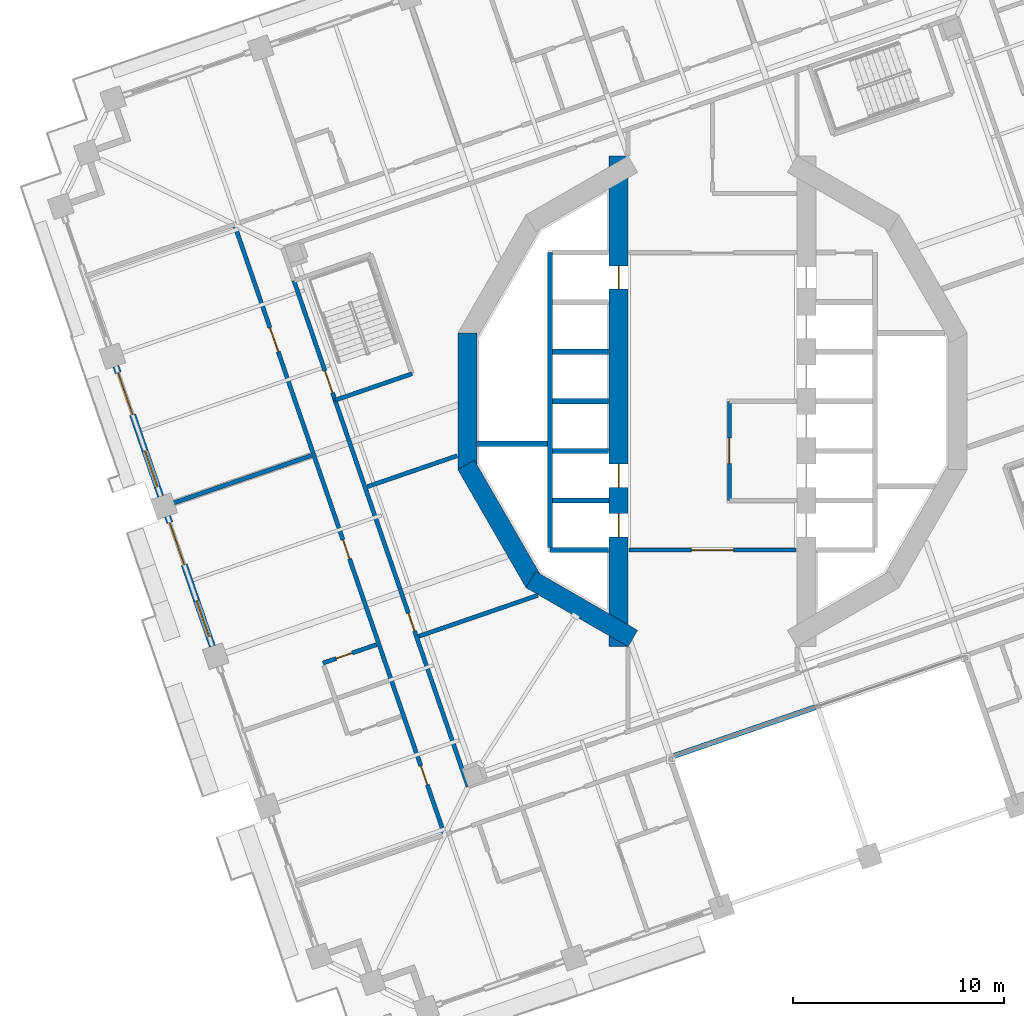
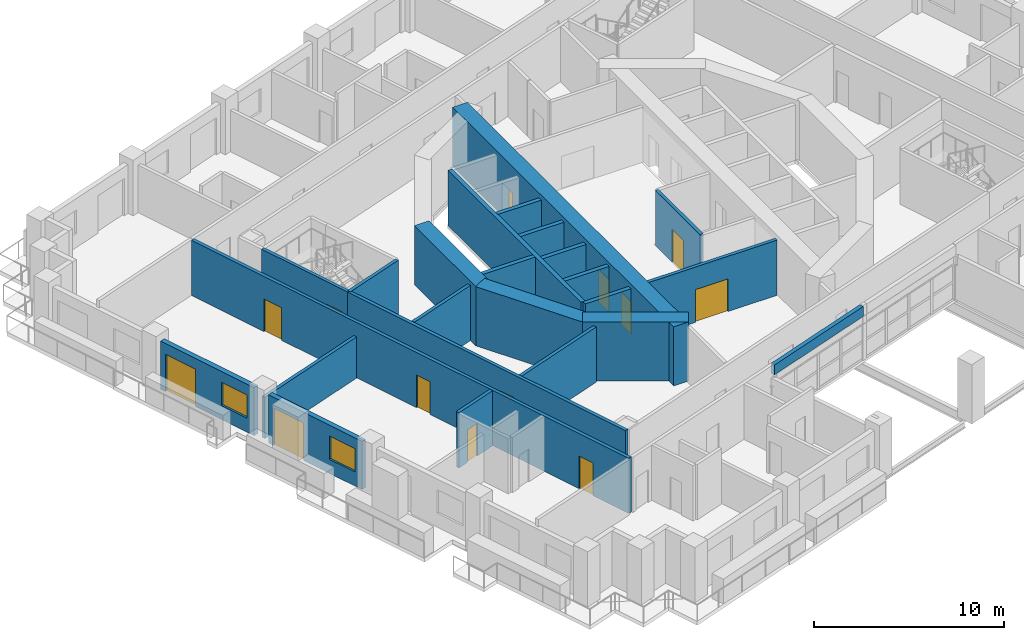
# One storey, part 9 of 22: 24 walls, 13 doors, 2 windows, 15 openings.
"""IFC4 building model written with IfcOpenShell, lengths in metres."""

from ifc_helpers import new_model, si_unit, direction, frame, frame_2d, origin, place, context, subcontext, project, spatial, rectangle, extrude, material, layer, layer_set, type_object, element, fill, save


model = new_model("IFC4")

# Units and contexts
model_context = context("Model", 3, precision=1e-05, world=origin(), true_north=direction((0.0, 1.0)))
body_context = subcontext(model_context, "Body", "Model", "MODEL_VIEW")
ifc_project = project(units=[si_unit("LENGTHUNIT", "METRE"), si_unit("AREAUNIT", "SQUARE_METRE"), si_unit("VOLUMEUNIT", "CUBIC_METRE"), si_unit("PLANEANGLEUNIT", "RADIAN"), si_unit("MASSUNIT", "GRAM", prefix="KILO")], contexts=[model_context])

# Site, building, storey
site_placement = place(None, origin())
site = spatial("IfcSite", under=ifc_project, at=site_placement, CompositionType="ELEMENT")
building_placement = place(site_placement, origin())
building = spatial("IfcBuilding", under=site, at=building_placement, Name="Cantera Rosa Tower", CompositionType="ELEMENT")
storey_placement = place(building_placement, frame((0.0, 0.0, 104.10009765625)))
storey = spatial("IfcBuildingStorey", under=building, at=storey_placement, Name="L20", CompositionType="ELEMENT", Elevation=104.10009765625)

# Wall, openings, doors
ifc_material_1 = material(Name="Gypsum board partition")
ifc_layer_1 = layer(ifc_material_1, 0.199951171875)
ifc_layer_set_1 = layer_set([ifc_layer_1], Name="CORRIDOR WALL 200 H3550")
wall_type_1 = type_object("IfcWallType", Name="CORRIDOR WALL 200 H3550", PredefinedType="PARTITIONING", material=ifc_layer_set_1)
wall_1_placement = place(storey_placement, frame((-22.6298828125, 8.28369140625, 0.0), z_axis=(0.0, 0.0, 1.0), x_axis=(0.325570542196, -0.945517753431, 0.0)))
wall_1 = element("IfcWall", 1, at=wall_1_placement, inside=storey, type_object=wall_type_1, Name="CORRIDOR WALL L20-002", PredefinedType="PARTITIONING", context=body_context, shape_type="SweptSolid", body=[
    extrude(rectangle(XDim=30.5, YDim=0.199951171875, at=frame_2d((15.25, 0.0))), origin(), (0.0, 0.0, 1.0), 3.5498046875),
])
opening_1_placement = place(wall_1_placement, frame((5.070068359375, 0.0, 0.0)))
opening_1 = element("IfcOpeningElement", 2, at=opening_1_placement, cuts=wall_1, Name="Opening L20-036", PredefinedType="OPENING", context=body_context, shape_type="SweptSolid", body=[
    extrude(rectangle(XDim=1.199951171875, YDim=2.10009765625, at=frame_2d((0.60009765625, 1.050048828125))), frame((0.0, 0.10986328125, 0.0), z_axis=(0.0, -1.0, 0.0), x_axis=(1.0, 0.0, 0.0)), (0.0, 0.0, 1.0), 0.219970703125),
])
opening_2_placement = place(wall_1_placement, frame((15.705078125, 0.0, 0.0)))
opening_2 = element("IfcOpeningElement", 3, at=opening_2_placement, cuts=wall_1, Name="Opening L20-037", PredefinedType="OPENING", context=body_context, shape_type="SweptSolid", body=[
    extrude(rectangle(XDim=0.949951171875, YDim=2.10009765625, at=frame_2d((0.47509765625, 1.050048828125))), frame((0.0, 0.10986328125, 0.0), z_axis=(0.0, -1.0, 0.0), x_axis=(1.0, 0.0, 0.0)), (0.0, 0.0, 1.0), 0.219970703125),
])
opening_3_placement = place(wall_1_placement, frame((27.034912109375, 0.0, 0.0)))
opening_3 = element("IfcOpeningElement", 4, at=opening_3_placement, cuts=wall_1, Name="Opening L20-039", PredefinedType="OPENING", context=body_context, shape_type="SweptSolid", body=[
    extrude(rectangle(XDim=0.949951171875, YDim=2.10009765625, at=frame_2d((0.47509765625, 1.050048828125))), frame((0.0, 0.10986328125, 0.0), z_axis=(0.0, -1.0, 0.0), x_axis=(1.0, 0.0, 0.0)), (0.0, 0.0, 1.0), 0.219970703125),
])
ifc_material_2 = material(Name="Timber door leaf", Category="wood")
door_type_1 = type_object("IfcDoorType", Name="ROOM DOOR 1200x2100", OperationType="NOTDEFINED", PredefinedType="DOOR", material=ifc_material_2)
door_1_placement = place(opening_1_placement, origin())
door_1 = element("IfcDoor", 5, at=door_1_placement, inside=storey, type_object=door_type_1, Name="DOOR L20-036", OperationType="NOTDEFINED", OverallHeight=2.10009765625, OverallWidth=1.199951171875, PredefinedType="DOOR", context=body_context, shape_type="SweptSolid", body=[
    extrude(rectangle(XDim=1.199951171875, YDim=2.10009765625, at=frame_2d((0.60009765625, 1.050048828125))), frame((0.0, 0.02490234375, 0.0), z_axis=(0.0, -1.0, 0.0), x_axis=(1.0, 0.0, 0.0)), (0.0, 0.0, 1.0), 0.050048828125),
])
fill(opening_1, door_1)
ifc_material_3 = material(Name="Timber door leaf", Category="wood")
door_type_2 = type_object("IfcDoorType", Name="ROOM DOOR 950x2100", OperationType="NOTDEFINED", PredefinedType="DOOR", material=ifc_material_3)
door_2_placement = place(opening_2_placement, origin())
door_2 = element("IfcDoor", 6, at=door_2_placement, inside=storey, type_object=door_type_2, Name="DOOR L20-037", OperationType="NOTDEFINED", OverallHeight=2.10009765625, OverallWidth=0.949951171875, PredefinedType="DOOR", context=body_context, shape_type="SweptSolid", body=[
    extrude(rectangle(XDim=0.949951171875, YDim=2.10009765625, at=frame_2d((0.47509765625, 1.050048828125))), frame((0.0, 0.02490234375, 0.0), z_axis=(0.0, -1.0, 0.0), x_axis=(1.0, 0.0, 0.0)), (0.0, 0.0, 1.0), 0.050048828125),
])
fill(opening_2, door_2)
door_3_placement = place(opening_3_placement, origin())
door_3 = element("IfcDoor", 7, at=door_3_placement, inside=storey, type_object=door_type_2, Name="DOOR L20-039", OperationType="NOTDEFINED", OverallHeight=2.10009765625, OverallWidth=0.949951171875, PredefinedType="DOOR", context=body_context, shape_type="SweptSolid", body=[
    extrude(rectangle(XDim=0.949951171875, YDim=2.10009765625, at=frame_2d((0.47509765625, 1.050048828125))), frame((0.0, 0.02490234375, 0.0), z_axis=(0.0, -1.0, 0.0), x_axis=(1.0, 0.0, 0.0)), (0.0, 0.0, 1.0), 0.050048828125),
])
fill(opening_3, door_3)

# Wall, opening, door
wall_2_placement = place(storey_placement, frame((-17.8916015625, 0.05126953125, 0.0), z_axis=(0.0, 0.0, 1.0), x_axis=(0.325580537834, -0.94551431157, 0.0)))
wall_2 = element("IfcWall", 8, at=wall_2_placement, inside=storey, type_object=wall_type_1, Name="CORRIDOR WALL L20-014", PredefinedType="PARTITIONING", context=body_context, shape_type="SweptSolid", body=[
    extrude(rectangle(XDim=19.37353515625, YDim=0.199951171875, at=frame_2d((9.686767578125, 0.0))), origin(), (0.0, 0.0, 1.0), 3.5498046875),
])
opening_4_placement = place(wall_2_placement, frame((10.67333984375, 0.0, 0.0)))
opening_4 = element("IfcOpeningElement", 9, at=opening_4_placement, cuts=wall_2, Name="Opening L20-006", PredefinedType="OPENING", context=body_context, shape_type="SweptSolid", body=[
    extrude(rectangle(XDim=0.89990234375, YDim=2.10009765625, at=frame_2d((0.449951171875, 1.050048828125))), frame((0.0, 0.10986328125, 0.0), z_axis=(0.0, -1.0, 0.0), x_axis=(1.0, 0.0, 0.0)), (0.0, 0.0, 1.0), 0.219970703125),
])
ifc_material_4 = material(Name="Timber door leaf", Category="wood")
door_type_3 = type_object("IfcDoorType", Name="SERVICE DOOR 900x2100", OperationType="NOTDEFINED", PredefinedType="DOOR", material=ifc_material_4)
door_4_placement = place(opening_4_placement, origin())
door_4 = element("IfcDoor", 10, at=door_4_placement, inside=storey, type_object=door_type_3, Name="DOOR L20-006", OperationType="NOTDEFINED", OverallHeight=2.10009765625, OverallWidth=0.89990234375, PredefinedType="DOOR", context=body_context, shape_type="SweptSolid", body=[
    extrude(rectangle(XDim=0.89990234375, YDim=2.10009765625, at=frame_2d((0.449951171875, 1.050048828125))), frame((0.0, 0.02490234375, 0.0), z_axis=(0.0, -1.0, 0.0), x_axis=(1.0, 0.0, 0.0)), (0.0, 0.0, 1.0), 0.050048828125),
])
fill(opening_4, door_4)

wall_3_placement = place(storey_placement, frame((3.969970703125, -7.050048828125, 0.0), z_axis=(0.0, 0.0, 1.0), x_axis=(-1.0, 0.0, 0.0)))
wall_3 = element("IfcWall", 11, at=wall_3_placement, inside=storey, type_object=wall_type_1, Name="CORRIDOR WALL L20-060", PredefinedType="PARTITIONING", context=body_context, shape_type="SweptSolid", body=[
    extrude(rectangle(XDim=7.93994140625, YDim=0.199951171875, at=frame_2d((3.969970703125, 0.0))), origin(), (0.0, 0.0, 1.0), 3.5498046875),
])
opening_5_placement = place(wall_3_placement, frame((2.969970703125, 0.0, 0.0)))
opening_5 = element("IfcOpeningElement", 12, at=opening_5_placement, cuts=wall_3, Name="Opening L20-013", PredefinedType="OPENING", context=body_context, shape_type="SweptSolid", body=[
    extrude(rectangle(XDim=2.0, YDim=2.10009765625, at=frame_2d((1.0, 1.050048828125))), frame((0.0, 0.10986328125, 0.0), z_axis=(0.0, -1.0, 0.0), x_axis=(1.0, 0.0, 0.0)), (0.0, 0.0, 1.0), 0.219970703125),
])
ifc_material_5 = material(Name="Steel S355J2 (EN 10025-2)", Category="steel")
door_type_4 = type_object("IfcDoorType", Name="LOBBY SCREEN DOOR 2000x2100", OperationType="NOTDEFINED", PredefinedType="DOOR", material=ifc_material_5)
door_5_placement = place(opening_5_placement, origin())
door_5 = element("IfcDoor", 13, at=door_5_placement, inside=storey, type_object=door_type_4, Name="DOOR L20-013", OperationType="NOTDEFINED", OverallHeight=2.10009765625, OverallWidth=2.0, PredefinedType="DOOR", context=body_context, shape_type="SweptSolid", body=[
    extrude(rectangle(XDim=2.0, YDim=2.10009765625, at=frame_2d((1.0, 1.050048828125))), frame((0.0, 0.02490234375, 0.0), z_axis=(0.0, -1.0, 0.0), x_axis=(1.0, 0.0, 0.0)), (0.0, 0.0, 1.0), 0.050048828125),
])
fill(opening_5, door_5)

# Wall, openings, window, door
ifc_material_6 = material(Name="Hollow clay masonry with cantera stone cladding", Category="masonry")
ifc_layer_2 = layer(ifc_material_6, 0.300048828125)
ifc_layer_set_2 = layer_set([ifc_layer_2], Name="EW-LOGGIA 300 H3090")
wall_type_2 = type_object("IfcWallType", Name="EW-LOGGIA 300 H3090", PredefinedType="SOLIDWALL", material=ifc_layer_set_2)
wall_4_placement = place(storey_placement, frame((-28.2822265625, 1.662841796875, 0.0), z_axis=(0.0, 0.0, 1.0), x_axis=(0.325580990241, -0.945514155787, 0.0)))
wall_4 = element("IfcWall", 14, at=wall_4_placement, inside=storey, type_object=wall_type_2, Name="EN-L20-W17", PredefinedType="SOLIDWALL", context=body_context, shape_type="SweptSolid", body=[
    extrude(rectangle(XDim=6.52001953125, YDim=0.300048828125, at=frame_2d((3.260009765625, 0.0))), origin(), (0.0, 0.0, 1.0), 3.08984375),
])
opening_6_placement = place(wall_4_placement, frame((0.330078125, 0.0, 0.0)))
opening_6 = element("IfcOpeningElement", 15, at=opening_6_placement, cuts=wall_4, Name="Opening L20-TD25", PredefinedType="OPENING", context=body_context, shape_type="SweptSolid", body=[
    extrude(rectangle(XDim=2.10009765625, YDim=2.39990234375, at=frame_2d((1.050048828125, 1.199951171875))), frame((0.0, 0.159912109375, 0.0), z_axis=(0.0, -1.0, 0.0), x_axis=(1.0, 0.0, 0.0)), (0.0, 0.0, 1.0), 0.320068359375),
])
opening_7_placement = place(wall_4_placement, frame((4.239990234375, 0.0, 0.89990234375)))
opening_7 = element("IfcOpeningElement", 16, at=opening_7_placement, cuts=wall_4, Name="Opening L20-W26", PredefinedType="OPENING", context=body_context, shape_type="SweptSolid", body=[
    extrude(rectangle(XDim=1.800048828125, YDim=1.5, at=frame_2d((0.89990234375, 0.75))), frame((0.0, 0.159912109375, 0.0), z_axis=(0.0, -1.0, 0.0), x_axis=(1.0, 0.0, 0.0)), (0.0, 0.0, 1.0), 0.320068359375),
])
ifc_material_7 = material(Name="Aluminium frame with clear glass", Category="aluminium")
window_type = type_object("IfcWindowType", Name="Hotel room window 1800x1500", PartitioningType="DOUBLE_PANEL_VERTICAL", PredefinedType="WINDOW", material=ifc_material_7)
window_1_placement = place(opening_7_placement, origin())
window_1 = element("IfcWindow", 17, at=window_1_placement, inside=storey, type_object=window_type, Name="WINDOW L20-W26", OverallHeight=1.5, OverallWidth=1.800048828125, PartitioningType="SINGLE_PANEL", PredefinedType="WINDOW", context=body_context, shape_type="SweptSolid", body=[
    extrude(rectangle(XDim=1.800048828125, YDim=1.5, at=frame_2d((0.89990234375, 0.75))), frame((0.0, 0.030029296875, 0.0), z_axis=(0.0, -1.0, 0.0), x_axis=(1.0, 0.0, 0.0)), (0.0, 0.0, 1.0), 0.06005859375),
])
fill(opening_7, window_1)
ifc_material_8 = material(Name="Aluminium frame with clear glass", Category="aluminium")
door_type_5 = type_object("IfcDoorType", Name="TD-H 2100x2400", OperationType="NOTDEFINED", PredefinedType="DOOR", material=ifc_material_8)
door_6_placement = place(opening_6_placement, origin())
door_6 = element("IfcDoor", 18, at=door_6_placement, inside=storey, type_object=door_type_5, Name="LOGGIA DOOR L20-TD25", OperationType="SLIDING_TO_LEFT", OverallHeight=2.39990234375, OverallWidth=2.10009765625, PredefinedType="DOOR", context=body_context, shape_type="SweptSolid", body=[
    extrude(rectangle(XDim=2.10009765625, YDim=2.39990234375, at=frame_2d((1.050048828125, 1.199951171875))), frame((0.0, 0.02490234375, 0.0), z_axis=(0.0, -1.0, 0.0), x_axis=(1.0, 0.0, 0.0)), (0.0, 0.0, 1.0), 0.050048828125),
])
fill(opening_6, door_6)

wall_5_placement = place(storey_placement, frame((-25.833984375, -5.447509765625, 0.0), z_axis=(0.0, 0.0, 1.0), x_axis=(0.325580990241, -0.945514155787, 0.0)))
wall_5 = element("IfcWall", 19, at=wall_5_placement, inside=storey, type_object=wall_type_2, Name="EN-L20-W18", PredefinedType="SOLIDWALL", context=body_context, shape_type="SweptSolid", body=[
    extrude(rectangle(XDim=6.52001953125, YDim=0.300048828125, at=frame_2d((3.260009765625, 0.0))), origin(), (0.0, 0.0, 1.0), 3.08984375),
])
opening_8_placement = place(wall_5_placement, frame((0.330078125, 0.0, 0.0)))
opening_8 = element("IfcOpeningElement", 20, at=opening_8_placement, cuts=wall_5, Name="Opening L20-TD27", PredefinedType="OPENING", context=body_context, shape_type="SweptSolid", body=[
    extrude(rectangle(XDim=2.10009765625, YDim=2.39990234375, at=frame_2d((1.050048828125, 1.199951171875))), frame((0.0, 0.159912109375, 0.0), z_axis=(0.0, -1.0, 0.0), x_axis=(1.0, 0.0, 0.0)), (0.0, 0.0, 1.0), 0.320068359375),
])
opening_9_placement = place(wall_5_placement, frame((4.239990234375, 0.0, 0.89990234375)))
opening_9 = element("IfcOpeningElement", 21, at=opening_9_placement, cuts=wall_5, Name="Opening L20-W28", PredefinedType="OPENING", context=body_context, shape_type="SweptSolid", body=[
    extrude(rectangle(XDim=1.800048828125, YDim=1.5, at=frame_2d((0.89990234375, 0.75))), frame((0.0, 0.159912109375, 0.0), z_axis=(0.0, -1.0, 0.0), x_axis=(1.0, 0.0, 0.0)), (0.0, 0.0, 1.0), 0.320068359375),
])
window_2_placement = place(opening_9_placement, origin())
window_2 = element("IfcWindow", 22, at=window_2_placement, inside=storey, type_object=window_type, Name="WINDOW L20-W28", OverallHeight=1.5, OverallWidth=1.800048828125, PartitioningType="SINGLE_PANEL", PredefinedType="WINDOW", context=body_context, shape_type="SweptSolid", body=[
    extrude(rectangle(XDim=1.800048828125, YDim=1.5, at=frame_2d((0.89990234375, 0.75))), frame((0.0, 0.030029296875, 0.0), z_axis=(0.0, -1.0, 0.0), x_axis=(1.0, 0.0, 0.0)), (0.0, 0.0, 1.0), 0.06005859375),
])
fill(opening_9, window_2)
door_7_placement = place(opening_8_placement, origin())
door_7 = element("IfcDoor", 23, at=door_7_placement, inside=storey, type_object=door_type_5, Name="LOGGIA DOOR L20-TD27", OperationType="SLIDING_TO_LEFT", OverallHeight=2.39990234375, OverallWidth=2.10009765625, PredefinedType="DOOR", context=body_context, shape_type="SweptSolid", body=[
    extrude(rectangle(XDim=2.10009765625, YDim=2.39990234375, at=frame_2d((1.050048828125, 1.199951171875))), frame((0.0, 0.02490234375, 0.0), z_axis=(0.0, -1.0, 0.0), x_axis=(1.0, 0.0, 0.0)), (0.0, 0.0, 1.0), 0.050048828125),
])
fill(opening_8, door_7)

# Wall
ifc_material_9 = material(Name="Hollow clay masonry with cantera stone cladding", Category="masonry")
ifc_layer_3 = layer(ifc_material_9, 0.25)
ifc_layer_set_3 = layer_set([ifc_layer_3], Name="EW-POCKET REAR 250")
wall_type_3 = type_object("IfcWallType", Name="EW-POCKET REAR 250", PredefinedType="SOLIDWALL", material=ifc_layer_set_3)
wall_6_placement = place(storey_placement, frame((-1.8974609375, -16.8349609375, 2.867919921875), z_axis=(0.0, 0.0, 1.0), x_axis=(0.945515675847, 0.325576575828, 0.0)))
element("IfcWall", 24, at=wall_6_placement, inside=storey, type_object=wall_type_3, Name="POCKET SPANDREL L20-1", PredefinedType="SOLIDWALL", context=body_context, shape_type="SweptSolid", body=[
    extrude(rectangle(XDim=7.14111328125, YDim=0.25, at=frame_2d((3.570556640625, 0.0))), origin(), (0.0, 0.0, 1.0), 0.632080078125),
])

# Wall, opening, door
ifc_material_10 = material(Name="Gypsum board partition")
ifc_layer_4 = layer(ifc_material_10, 0.199951171875)
ifc_layer_set_4 = layer_set([ifc_layer_4], Name="PARTITION 200 H3550")
wall_type_4 = type_object("IfcWallType", Name="PARTITION 200 H3550", PredefinedType="PARTITIONING", material=ifc_layer_set_4)
wall_7_placement = place(storey_placement, frame((-18.46630859375, -12.408203125, 0.0), z_axis=(0.0, 0.0, 1.0), x_axis=(0.94551230217, 0.325586373249, 0.0)))
wall_7 = element("IfcWall", 25, at=wall_7_placement, inside=storey, type_object=wall_type_4, Name="PARTITION L20-011", PredefinedType="PARTITIONING", context=body_context, shape_type="SweptSolid", body=[
    extrude(rectangle(XDim=2.679931640625, YDim=0.199951171875, at=frame_2d((1.33984375, 0.0))), origin(), (0.0, 0.0, 1.0), 3.5498046875),
])
opening_10_placement = place(wall_7_placement, frame((0.6640625, 0.0, 0.0)))
opening_10 = element("IfcOpeningElement", 26, at=opening_10_placement, cuts=wall_7, Name="Opening L20-038", PredefinedType="OPENING", context=body_context, shape_type="SweptSolid", body=[
    extrude(rectangle(XDim=0.800048828125, YDim=2.10009765625, at=frame_2d((0.39990234375, 1.050048828125))), frame((0.0, 0.10986328125, 0.0), z_axis=(0.0, -1.0, 0.0), x_axis=(1.0, 0.0, 0.0)), (0.0, 0.0, 1.0), 0.219970703125),
])
ifc_material_11 = material(Name="Timber door leaf", Category="wood")
door_type_6 = type_object("IfcDoorType", Name="BATHROOM DOOR 800x2100", OperationType="NOTDEFINED", PredefinedType="DOOR", material=ifc_material_11)
door_8_placement = place(opening_10_placement, origin())
door_8 = element("IfcDoor", 27, at=door_8_placement, inside=storey, type_object=door_type_6, Name="DOOR L20-038", OperationType="NOTDEFINED", OverallHeight=2.10009765625, OverallWidth=0.800048828125, PredefinedType="DOOR", context=body_context, shape_type="SweptSolid", body=[
    extrude(rectangle(XDim=0.800048828125, YDim=2.10009765625, at=frame_2d((0.39990234375, 1.050048828125))), frame((0.0, 0.02490234375, 0.0), z_axis=(0.0, -1.0, 0.0), x_axis=(1.0, 0.0, 0.0)), (0.0, 0.0, 1.0), 0.050048828125),
])
fill(opening_10, door_8)

# Walls
wall_8_placement = place(storey_placement, frame((-12.10400390625, -2.581298828125, 0.0), z_axis=(0.0, 0.0, 1.0), x_axis=(-0.945508534203, -0.325597315328, 0.0)))
element("IfcWall", 28, at=wall_8_placement, inside=storey, type_object=wall_type_4, Name="PARTITION L20-023", PredefinedType="PARTITIONING", context=body_context, shape_type="SweptSolid", body=[
    extrude(rectangle(XDim=4.4951171875, YDim=0.199951171875, at=frame_2d((2.24755859375, 0.0))), origin(), (0.0, 0.0, 1.0), 3.5498046875),
])
wall_9_placement = place(storey_placement, frame((-8.279296875, -9.196533203125, 0.0), z_axis=(0.0, 0.0, 1.0), x_axis=(-0.945525220819, -0.325548854699, 0.0)))
element("IfcWall", 29, at=wall_9_placement, inside=storey, type_object=wall_type_4, Name="PARTITION L20-031", PredefinedType="PARTITIONING", context=body_context, shape_type="SweptSolid", body=[
    extrude(rectangle(XDim=5.977783203125, YDim=0.199951171875, at=frame_2d((2.98876953125, 0.0))), origin(), (0.0, 0.0, 1.0), 3.5498046875),
])
ifc_material_12 = material(Name="Gypsum board partition")
ifc_layer_5 = layer(ifc_material_12, 0.199951171875)
ifc_layer_set_5 = layer_set([ifc_layer_5], Name="PARTY WALL 200 H2650")
wall_type_5 = type_object("IfcWallType", Name="PARTY WALL 200 H2650", PredefinedType="PARTITIONING", material=ifc_layer_set_5)
wall_10_placement = place(storey_placement, frame((-19.018798828125, -2.572021484375, 0.0), z_axis=(0.0, 0.0, 1.0), x_axis=(-0.945514790731, -0.325579146306, 0.0)))
element("IfcWall", 30, at=wall_10_placement, inside=storey, type_object=wall_type_5, Name="PARTY WALL L20-010", PredefinedType="PARTITIONING", context=body_context, shape_type="SweptSolid", body=[
    extrude(rectangle(XDim=7.35009765625, YDim=0.199951171875, at=frame_2d((3.675048828125, 0.0))), origin(), (0.0, 0.0, 1.0), 2.64990234375),
])
ifc_material_13 = material(Name="Concrete C70/85", Category="concrete")
ifc_layer_6 = layer(ifc_material_13, 0.89990234375)
ifc_layer_set_6 = layer_set([ifc_layer_6], Name="RC CORE WALL 900 C70/85")
wall_type_6 = type_object("IfcWallType", Name="RC CORE WALL 900 C70/85", PredefinedType="SHEAR", material=ifc_layer_set_6)
wall_11_placement = place(storey_placement, frame((-3.77490234375, -11.242919921875, 0.0), z_axis=(0.0, 0.0, 1.0), x_axis=(-0.866026961591, 0.49999730179, 0.0)))
element("IfcWall", 31, at=wall_11_placement, inside=storey, type_object=wall_type_6, Name="CW-W1 L20", PredefinedType="SHEAR", context=body_context, shape_type="SweptSolid", body=[
    extrude(rectangle(XDim=5.58740234375, YDim=0.89990234375, at=frame_2d((2.793701171875, 0.0))), origin(), (0.0, 0.0, 1.0), 3.7998046875),
])
wall_12_placement = place(storey_placement, frame((-8.44921875, -8.61376953125, 0.0), z_axis=(0.0, 0.0, 1.0), x_axis=(-0.499990282633, 0.866031014036, 0.0)))
element("IfcWall", 32, at=wall_12_placement, inside=storey, type_object=wall_type_6, Name="CW-W2 L20", PredefinedType="SHEAR", context=body_context, shape_type="SweptSolid", body=[
    extrude(rectangle(XDim=6.470458984375, YDim=0.89990234375, at=frame_2d((3.2353515625, 0.0))), origin(), (0.0, 0.0, 1.0), 3.7998046875),
])
wall_13_placement = place(storey_placement, frame((-11.6240234375, -3.2353515625, 0.0), z_axis=(0.0, 0.0, 1.0), x_axis=(0.0, 1.0, 0.0)))
element("IfcWall", 33, at=wall_13_placement, inside=storey, type_object=wall_type_6, Name="CW-W3 L20", PredefinedType="SHEAR", context=body_context, shape_type="SweptSolid", body=[
    extrude(rectangle(XDim=6.470703125, YDim=0.89990234375, at=frame_2d((3.2353515625, 0.0))), origin(), (0.0, 0.0, 1.0), 3.7998046875),
])

# Wall, openings, doors
wall_14_placement = place(storey_placement, frame((-4.449951171875, 11.632568359375, 0.0), z_axis=(0.0, 0.0, 1.0), x_axis=(0.0, -1.0, 0.0)))
wall_14 = element("IfcWall", 34, at=wall_14_placement, inside=storey, type_object=wall_type_6, Name="CW-W6 L20", PredefinedType="SHEAR", context=body_context, shape_type="SweptSolid", body=[
    extrude(rectangle(XDim=23.26513671875, YDim=0.89990234375, at=frame_2d((11.632568359375, 0.0))), origin(), (0.0, 0.0, 1.0), 3.7998046875),
])
opening_11_placement = place(wall_14_placement, frame((14.607421875, 0.0, 0.0)))
opening_11 = element("IfcOpeningElement", 35, at=opening_11_placement, cuts=wall_14, Name="Opening LD-P3-L20", PredefinedType="OPENING", context=body_context, shape_type="SweptSolid", body=[
    extrude(rectangle(XDim=1.10009765625, YDim=2.10009765625, at=frame_2d((0.550048828125, 1.050048828125))), frame((0.0, 0.4599609375, 0.0), z_axis=(0.0, -1.0, 0.0), x_axis=(1.0, 0.0, 0.0)), (0.0, 0.0, 1.0), 0.919921875),
])
opening_12_placement = place(wall_14_placement, frame((16.95751953125, 0.0, 0.0)))
opening_12 = element("IfcOpeningElement", 36, at=opening_12_placement, cuts=wall_14, Name="Opening LD-P4-L20", PredefinedType="OPENING", context=body_context, shape_type="SweptSolid", body=[
    extrude(rectangle(XDim=1.10009765625, YDim=2.10009765625, at=frame_2d((0.550048828125, 1.050048828125))), frame((0.0, 0.4599609375, 0.0), z_axis=(0.0, -1.0, 0.0), x_axis=(1.0, 0.0, 0.0)), (0.0, 0.0, 1.0), 0.919921875),
])
opening_13_placement = place(wall_14_placement, frame((5.20751953125, 0.0, 0.0)))
opening_13 = element("IfcOpeningElement", 37, at=opening_13_placement, cuts=wall_14, Name="Opening LD-P5-L20", PredefinedType="OPENING", context=body_context, shape_type="SweptSolid", body=[
    extrude(rectangle(XDim=1.10009765625, YDim=2.10009765625, at=frame_2d((0.550048828125, 1.050048828125))), frame((0.0, 0.4599609375, 0.0), z_axis=(0.0, -1.0, 0.0), x_axis=(1.0, 0.0, 0.0)), (0.0, 0.0, 1.0), 0.919921875),
])
ifc_material_14 = material(Name="Steel S355J2 (EN 10025-2)", Category="steel")
door_type_7 = type_object("IfcDoorType", Name="LANDING DOOR 1100x2100", OperationType="NOTDEFINED", PredefinedType="DOOR", material=ifc_material_14)
door_9_placement = place(opening_11_placement, origin())
door_9 = element("IfcDoor", 38, at=door_9_placement, inside=storey, type_object=door_type_7, Name="LANDING DOOR P3 L20", OperationType="SLIDING_TO_LEFT", OverallHeight=2.10009765625, OverallWidth=1.10009765625, PredefinedType="DOOR", context=body_context, shape_type="SweptSolid", body=[
    extrude(rectangle(XDim=1.10009765625, YDim=2.10009765625, at=frame_2d((0.550048828125, 1.050048828125))), frame((0.0, 0.02490234375, 0.0), z_axis=(0.0, -1.0, 0.0), x_axis=(1.0, 0.0, 0.0)), (0.0, 0.0, 1.0), 0.050048828125),
])
fill(opening_11, door_9)
door_10_placement = place(opening_12_placement, origin())
door_10 = element("IfcDoor", 39, at=door_10_placement, inside=storey, type_object=door_type_7, Name="LANDING DOOR P4 L20", OperationType="SLIDING_TO_LEFT", OverallHeight=2.10009765625, OverallWidth=1.10009765625, PredefinedType="DOOR", context=body_context, shape_type="SweptSolid", body=[
    extrude(rectangle(XDim=1.10009765625, YDim=2.10009765625, at=frame_2d((0.550048828125, 1.050048828125))), frame((0.0, 0.02490234375, 0.0), z_axis=(0.0, -1.0, 0.0), x_axis=(1.0, 0.0, 0.0)), (0.0, 0.0, 1.0), 0.050048828125),
])
fill(opening_12, door_10)
door_11_placement = place(opening_13_placement, origin())
door_11 = element("IfcDoor", 40, at=door_11_placement, inside=storey, type_object=door_type_7, Name="LANDING DOOR P5 L20", OperationType="SLIDING_TO_LEFT", OverallHeight=2.10009765625, OverallWidth=1.10009765625, PredefinedType="DOOR", context=body_context, shape_type="SweptSolid", body=[
    extrude(rectangle(XDim=1.10009765625, YDim=2.10009765625, at=frame_2d((0.550048828125, 1.050048828125))), frame((0.0, 0.02490234375, 0.0), z_axis=(0.0, -1.0, 0.0), x_axis=(1.0, 0.0, 0.0)), (0.0, 0.0, 1.0), 0.050048828125),
])
fill(opening_13, door_11)

# Walls
ifc_material_15 = material(Name="Masonry blockwork", Category="masonry")
ifc_layer_7 = layer(ifc_material_15, 0.25)
ifc_layer_set_7 = layer_set([ifc_layer_7], Name="SHAFT WALL 250 H3550")
wall_type_7 = type_object("IfcWallType", Name="SHAFT WALL 250 H3550", PredefinedType="SOLIDWALL", material=ifc_layer_set_7)
wall_15_placement = place(storey_placement, frame((-11.14404296875, -2.0146484375, 0.0), z_axis=(0.0, 0.0, 1.0), x_axis=(1.0, 0.0, 0.0)))
element("IfcWall", 41, at=wall_15_placement, inside=storey, type_object=wall_type_7, Name="SHAFT WALL L20-026", PredefinedType="SOLIDWALL", context=body_context, shape_type="SweptSolid", body=[
    extrude(rectangle(XDim=3.319091796875, YDim=0.25, at=frame_2d((1.65966796875, 0.0))), origin(), (0.0, 0.0, 1.0), 3.5498046875),
])
wall_16_placement = place(storey_placement, frame((-7.699951171875, -7.050048828125, 0.0), z_axis=(0.0, 0.0, 1.0), x_axis=(1.0, 0.0, 0.0)))
element("IfcWall", 42, at=wall_16_placement, inside=storey, type_object=wall_type_7, Name="SHAFT WALL L20-033", PredefinedType="SOLIDWALL", context=body_context, shape_type="SweptSolid", body=[
    extrude(rectangle(XDim=2.77001953125, YDim=0.25, at=frame_2d((1.385009765625, 0.0))), origin(), (0.0, 0.0, 1.0), 3.5498046875),
])
wall_17_placement = place(storey_placement, frame((-7.574951171875, -4.699951171875, 0.0), z_axis=(0.0, 0.0, 1.0), x_axis=(1.0, 0.0, 0.0)))
element("IfcWall", 43, at=wall_17_placement, inside=storey, type_object=wall_type_7, Name="SHAFT WALL L20-034", PredefinedType="SOLIDWALL", context=body_context, shape_type="SweptSolid", body=[
    extrude(rectangle(XDim=2.675048828125, YDim=0.25, at=frame_2d((1.33740234375, 0.0))), origin(), (0.0, 0.0, 1.0), 3.5498046875),
])
for number, where, z_axis, x_axis, name in (
    (44, (-7.574951171875, -2.35009765625, 0.0), (0.0, 0.0, 1.0), (1.0, 0.0, 0.0), "SHAFT WALL L20-035"),
    (45, (-7.574951171875, 0.0, 0.0), (0.0, 0.0, 1.0), (1.0, 0.0, 0.0), "SHAFT WALL L20-036"),
    (46, (-7.574951171875, 2.35009765625, 0.0), (0.0, 0.0, 1.0), (1.0, 0.0, 0.0), "SHAFT WALL L20-037"),
):
    element("IfcWall", number, at=place(storey_placement, frame(where, z_axis=z_axis, x_axis=x_axis)), inside=storey, type_object=wall_type_7, Name=name, PredefinedType="SOLIDWALL", context=body_context, shape_type="SweptSolid", body=[
        extrude(rectangle(XDim=2.64501953125, YDim=0.25, at=frame_2d((1.322509765625, 0.0))), origin(), (0.0, 0.0, 1.0), 3.5498046875),
    ])
wall_18_placement = place(storey_placement, frame((-7.699951171875, 7.050048828125, 0.0), z_axis=(0.0, 0.0, 1.0), x_axis=(0.0, -1.0, 0.0)))
element("IfcWall", 47, at=wall_18_placement, inside=storey, type_object=wall_type_7, Name="SHAFT WALL L20-039", PredefinedType="SOLIDWALL", context=body_context, shape_type="SweptSolid", body=[
    extrude(rectangle(XDim=13.97998046875, YDim=0.25, at=frame_2d((6.989990234375, 0.0))), origin(), (0.0, 0.0, 1.0), 3.5498046875),
])

# Wall, opening, door
ifc_material_16 = material(Name="Concrete C50/60", Category="concrete")
ifc_layer_8 = layer(ifc_material_16, 0.199951171875)
ifc_layer_set_8 = layer_set([ifc_layer_8], Name="STAIR WALL 200 H3550")
wall_type_8 = type_object("IfcWallType", Name="STAIR WALL 200 H3550", PredefinedType="SOLIDWALL", material=ifc_layer_set_8)
wall_19_placement = place(storey_placement, frame((-19.844970703125, 5.724365234375, 0.0), z_axis=(0.0, 0.0, 1.0), x_axis=(0.325563034341, -0.945520338581, 0.0)))
wall_19 = element("IfcWall", 48, at=wall_19_placement, inside=storey, type_object=wall_type_8, Name="STAIR WALL L20-006", PredefinedType="SOLIDWALL", context=body_context, shape_type="SweptSolid", body=[
    extrude(rectangle(XDim=6.0, YDim=0.199951171875, at=frame_2d((3.0, 0.0))), origin(), (0.0, 0.0, 1.0), 3.5498046875),
])
opening_14_placement = place(wall_19_placement, frame((4.52490234375, 0.0, 0.0)))
opening_14 = element("IfcOpeningElement", 49, at=opening_14_placement, cuts=wall_19, Name="Opening L20-002", PredefinedType="OPENING", context=body_context, shape_type="SweptSolid", body=[
    extrude(rectangle(XDim=1.10009765625, YDim=2.10009765625, at=frame_2d((0.550048828125, 1.050048828125))), frame((0.0, 0.10986328125, 0.0), z_axis=(0.0, -1.0, 0.0), x_axis=(1.0, 0.0, 0.0)), (0.0, 0.0, 1.0), 0.219970703125),
])
ifc_material_17 = material(Name="Steel S355J2 (EN 10025-2)", Category="steel")
door_type_8 = type_object("IfcDoorType", Name="STAIR DOOR 1100x2100", OperationType="NOTDEFINED", PredefinedType="DOOR", material=ifc_material_17)
door_12_placement = place(opening_14_placement, origin())
door_12 = element("IfcDoor", 50, at=door_12_placement, inside=storey, type_object=door_type_8, Name="DOOR L20-002", OperationType="NOTDEFINED", OverallHeight=2.10009765625, OverallWidth=1.10009765625, PredefinedType="DOOR", context=body_context, shape_type="SweptSolid", body=[
    extrude(rectangle(XDim=1.10009765625, YDim=2.10009765625, at=frame_2d((0.550048828125, 1.050048828125))), frame((0.0, 0.02490234375, 0.0), z_axis=(0.0, -1.0, 0.0), x_axis=(1.0, 0.0, 0.0)), (0.0, 0.0, 1.0), 0.050048828125),
])
fill(opening_14, door_12)

# Wall
wall_20_placement = place(storey_placement, frame((-17.8916015625, 0.05126953125, 0.0), z_axis=(0.0, 0.0, 1.0), x_axis=(0.945514621213, 0.325579638603, 0.0)))
element("IfcWall", 51, at=wall_20_placement, inside=storey, type_object=wall_type_8, Name="STAIR WALL L20-013", PredefinedType="SOLIDWALL", context=body_context, shape_type="SweptSolid", body=[
    extrude(rectangle(XDim=3.862548828125, YDim=0.199951171875, at=frame_2d((1.93115234375, 0.0))), origin(), (0.0, 0.0, 1.0), 3.5498046875),
])

# Wall, opening, door
wall_21_placement = place(storey_placement, frame((0.800048828125, -4.699951171875, 0.0), z_axis=(0.0, 0.0, 1.0), x_axis=(0.0, 1.0, 0.0)))
wall_21 = element("IfcWall", 52, at=wall_21_placement, inside=storey, type_object=wall_type_8, Name="STAIR WALL L20-057", PredefinedType="SOLIDWALL", context=body_context, shape_type="SweptSolid", body=[
    extrude(rectangle(XDim=4.699951171875, YDim=0.199951171875, at=frame_2d((2.35009765625, 0.0))), origin(), (0.0, 0.0, 1.0), 3.5498046875),
])
opening_15_placement = place(wall_21_placement, frame((1.75, 0.0, 0.0)))
opening_15 = element("IfcOpeningElement", 53, at=opening_15_placement, cuts=wall_21, Name="Opening L20-014", PredefinedType="OPENING", context=body_context, shape_type="SweptSolid", body=[
    extrude(rectangle(XDim=1.199951171875, YDim=2.10009765625, at=frame_2d((0.60009765625, 1.050048828125))), frame((0.0, 0.10986328125, 0.0), z_axis=(0.0, -1.0, 0.0), x_axis=(1.0, 0.0, 0.0)), (0.0, 0.0, 1.0), 0.219970703125),
])
ifc_material_18 = material(Name="Steel S355J2 (EN 10025-2)", Category="steel")
door_type_9 = type_object("IfcDoorType", Name="FIRE DOOR 1200x2100", OperationType="NOTDEFINED", PredefinedType="DOOR", material=ifc_material_18)
door_13_placement = place(opening_15_placement, origin())
door_13 = element("IfcDoor", 54, at=door_13_placement, inside=storey, type_object=door_type_9, Name="DOOR L20-014", OperationType="NOTDEFINED", OverallHeight=2.10009765625, OverallWidth=1.199951171875, PredefinedType="DOOR", context=body_context, shape_type="SweptSolid", body=[
    extrude(rectangle(XDim=1.199951171875, YDim=2.10009765625, at=frame_2d((0.60009765625, 1.050048828125))), frame((0.0, 0.02490234375, 0.0), z_axis=(0.0, -1.0, 0.0), x_axis=(1.0, 0.0, 0.0)), (0.0, 0.0, 1.0), 0.050048828125),
])
fill(opening_15, door_13)

save(model, "model.ifc")
